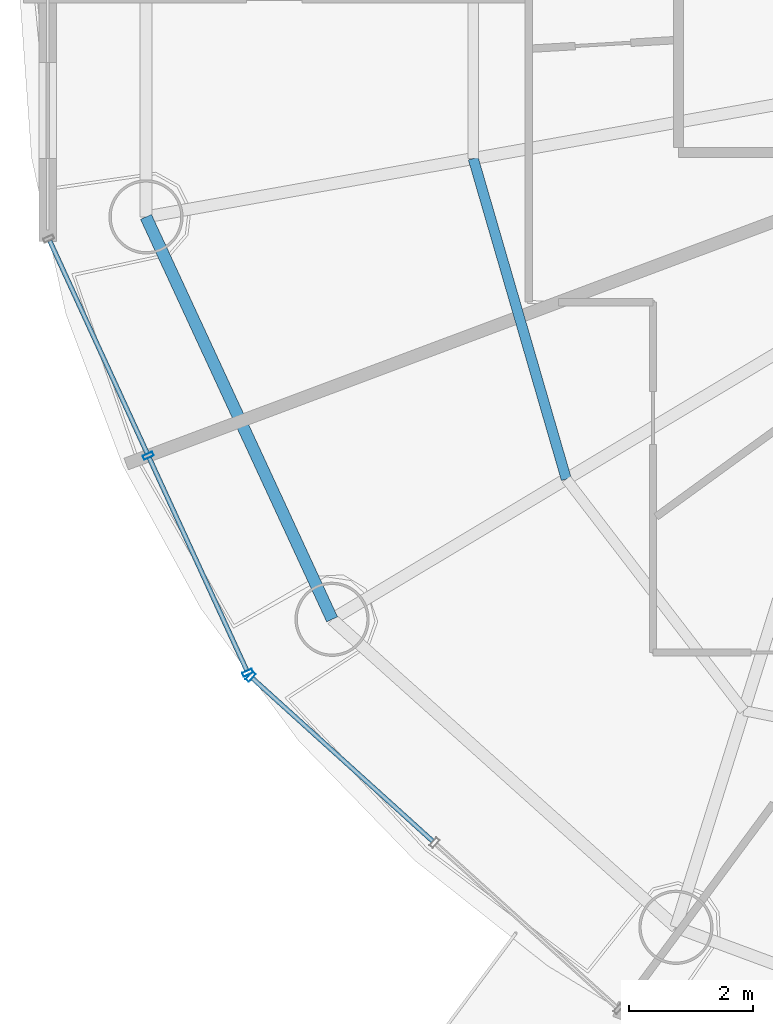
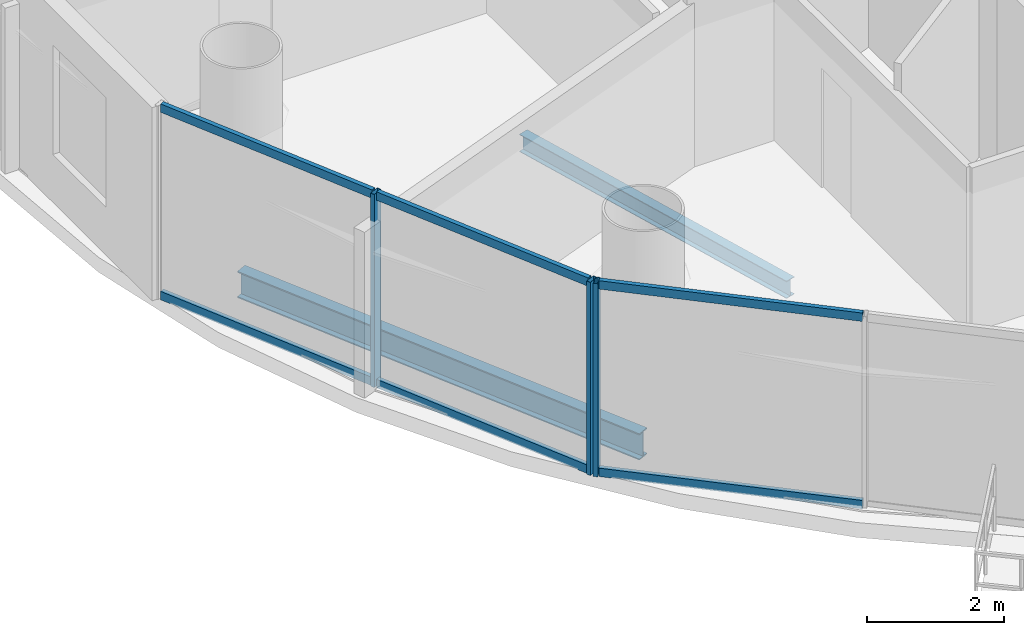
# One storey, part 3 of 26: 9 members, 2 beams, 2 elements without a shape of their own.
"""IFC4 building model written with IfcOpenShell, lengths in metres."""

from ifc_helpers import new_model, si_unit, direction, frame, origin, origin_2d, place, context, subcontext, project, spatial, hollow_rectangle, i_section, extrude, source, transform, mapped, material, material_profile, profile_set, type_object, element, aggregate, save


model = new_model("IFC4")

# Units and contexts
model_context = context("Model", 3, precision=1e-05, world=origin(), true_north=direction((-0.2419218956, 0.970295726276)))
body_context = subcontext(model_context, "Body", "Model", "MODEL_VIEW")
ifc_project = project(units=[si_unit("LENGTHUNIT", "METRE"), si_unit("AREAUNIT", "SQUARE_METRE"), si_unit("VOLUMEUNIT", "CUBIC_METRE"), si_unit("PLANEANGLEUNIT", "RADIAN"), si_unit("MASSUNIT", "GRAM", prefix="KILO")], contexts=[model_context])

# Site, building, storey
site_placement = place(None, origin())
site = spatial("IfcSite", under=ifc_project, at=site_placement, CompositionType="ELEMENT")
building_placement = place(site_placement, origin())
building = spatial("IfcBuilding", under=site, at=building_placement, Name="Cobrevalo Terracotta Tower", CompositionType="ELEMENT")
storey_placement = place(building_placement, frame((0.0, 0.0, 209.699951171875)))
storey = spatial("IfcBuildingStorey", under=building, at=storey_placement, Name="L55", CompositionType="ELEMENT", Elevation=209.699951171875)

# Beams
ifc_material_1 = material(Name="Steel S355", Category="steel")
ifc_material_profile_1 = material_profile(ifc_material_1, i_section(OverallWidth=0.1650390625, OverallDepth=0.31005859375, WebThickness=0.005859375, FlangeThickness=0.009765625, at=origin_2d()), Name="W 310x38.7")
ifc_profile_set_1 = profile_set([ifc_material_profile_1], Name="Steel S355")
beam_type_1 = type_object("IfcBeamType", Name="Structural Joist W 310x38.7 (Steel S355)", PredefinedType="JOIST", material=ifc_profile_set_1)
beam_1_placement = place(storey_placement, frame((23.528564453125, 24.221435546875, -0.419921875), z_axis=(0.278757705995, -0.960361463902, 0.0), x_axis=(0.960361463902, 0.278757705995, 0.0)))
element("IfcBeam", 1, at=beam_1_placement, inside=storey, type_object=beam_type_1, Name="L55 circumferential secondary floor joist 09", PredefinedType="JOIST", context=body_context, shape_type="SweptSolid", body=[
    extrude(i_section(OverallWidth=0.1650390625, OverallDepth=0.31005859375, WebThickness=0.005859375, FlangeThickness=0.009765625, at=origin_2d()), origin(), (0.0, 0.0, 1.0), 5.396728515625),
])
ifc_material_profile_2 = material_profile(ifc_material_1, i_section(OverallWidth=0.194091796875, OverallDepth=0.468994140625, WebThickness=0.011474609375, FlangeThickness=0.0205078125, at=origin_2d()), Name="W 460x106")
ifc_profile_set_2 = profile_set([ifc_material_profile_2], Name="Steel S355")
beam_type_2 = type_object("IfcBeamType", Name="Structural Spandrel W 460x106 (Steel S355)", PredefinedType="SPANDREL", material=ifc_profile_set_2)
beam_2_placement = place(storey_placement, frame((18.237060546875, 23.278564453125, -0.49951171875), z_axis=(0.419718939129, -0.90765412583, 0.0), x_axis=(0.90765412583, 0.419718939129, 0.0)))
element("IfcBeam", 2, at=beam_2_placement, inside=storey, type_object=beam_type_2, Name="L55 perimeter ring spandrel 09", PredefinedType="SPANDREL", context=body_context, shape_type="SweptSolid", body=[
    extrude(i_section(OverallWidth=0.194091796875, OverallDepth=0.468994140625, WebThickness=0.011474609375, FlangeThickness=0.0205078125, at=origin_2d()), origin(), (0.0, 0.0, 1.0), 7.168701171875),
])

# Curtain wall, members
ifc_material_2 = material(Name="Anodized aluminium", Category="aluminium")
curtain_wall_type = type_object("IfcCurtainWallType", Name="Mid-tower high-wind unitised curtain wall CW-U2", PredefinedType="NOTDEFINED", material=ifc_material_2)
curtain_wall_1_placement = place(storey_placement, origin())
curtain_wall_1 = element("IfcCurtainWall", 3, at=curtain_wall_1_placement, inside=storey, type_object=curtain_wall_type, Name="L55 curtain wall CW-L55-S09", PredefinedType="NOTDEFINED")
ifc_material_profile_3 = material_profile(ifc_material_2, hollow_rectangle(XDim=0.074951171875, YDim=0.14990234375, WallThickness=0.00439453125, at=origin_2d()), Name="CWT 75x150")
ifc_profile_set_3 = profile_set([ifc_material_profile_3], Name="Anodized aluminium")
member_type_1 = type_object("IfcMemberType", Name="Tower unitised aluminium transom 75x150", PredefinedType="USERDEFINED", material=ifc_profile_set_3)
shared_shape_1 = source(origin(), body_context, "Body", "SweptSolid", [
    extrude(hollow_rectangle(XDim=0.074951171875, YDim=0.14990234375, WallThickness=0.00439453125, at=origin_2d()), origin(), (0.0, 0.0, 1.0), 3.780029296875),
])
member_1_placement = place(storey_placement, frame((16.681640625, 22.889892578125, 0.050048828125), z_axis=(0.416705859352, -0.909041377926, 0.0), x_axis=(0.909041377926, 0.416705859352, 0.0)))
member_1 = element("IfcMember", 4, at=member_1_placement, type_object=member_type_1, Name="CW-L55-S09 transom B01-T1", ObjectType="TRANSOM", PredefinedType="USERDEFINED", context=body_context, shape_type="MappedRepresentation", body=[
    mapped(shared_shape_1, transform((0.0, 0.0, 0.0), scale=1.0)),
])
member_2_placement = place(storey_placement, frame((16.681640625, 22.889892578125, 3.385009765625), z_axis=(0.416705859352, -0.909041377926, 0.0), x_axis=(0.909041377926, 0.416705859352, 0.0)))
member_2 = element("IfcMember", 5, at=member_2_placement, type_object=member_type_1, Name="CW-L55-S09 transom B01-T2", ObjectType="TRANSOM", PredefinedType="USERDEFINED", context=body_context, shape_type="MappedRepresentation", body=[
    mapped(shared_shape_1, transform((0.0, 0.0, 0.0), scale=1.0)),
])
member_3_placement = place(storey_placement, frame((18.290283203125, 19.380859375, 0.050048828125), z_axis=(0.416705859352, -0.909041377926, 0.0), x_axis=(0.909041377926, 0.416705859352, 0.0)))
member_3 = element("IfcMember", 6, at=member_3_placement, type_object=member_type_1, Name="CW-L55-S09 transom B02-T1", ObjectType="TRANSOM", PredefinedType="USERDEFINED", context=body_context, shape_type="MappedRepresentation", body=[
    mapped(shared_shape_1, transform((0.0, 0.0, 0.0), scale=1.0)),
])
member_4_placement = place(storey_placement, frame((18.290283203125, 19.380859375, 3.385009765625), z_axis=(0.416705859352, -0.909041377926, 0.0), x_axis=(0.909041377926, 0.416705859352, 0.0)))
member_4 = element("IfcMember", 7, at=member_4_placement, type_object=member_type_1, Name="CW-L55-S09 transom B02-T2", ObjectType="TRANSOM", PredefinedType="USERDEFINED", context=body_context, shape_type="MappedRepresentation", body=[
    mapped(shared_shape_1, transform((0.0, 0.0, 0.0), scale=1.0)),
])

curtain_wall_2_placement = place(storey_placement, origin())
curtain_wall_2 = element("IfcCurtainWall", 8, at=curtain_wall_2_placement, inside=storey, type_object=curtain_wall_type, Name="L55 curtain wall CW-L55-S10", PredefinedType="NOTDEFINED")
shared_shape_2 = source(origin(), body_context, "Body", "SweptSolid", [
    extrude(hollow_rectangle(XDim=0.074951171875, YDim=0.14990234375, WallThickness=0.00439453125, at=origin_2d()), origin(), (0.0, 0.0, 1.0), 3.927490234375),
])
member_5_placement = place(storey_placement, frame((19.958251953125, 15.818359375, 0.050048828125), z_axis=(0.741975952623, -0.670426495396, 0.0), x_axis=(0.670426495396, 0.741975952623, 0.0)))
member_5 = element("IfcMember", 9, at=member_5_placement, type_object=member_type_1, Name="CW-L55-S10 transom B01-T1", ObjectType="TRANSOM", PredefinedType="USERDEFINED", context=body_context, shape_type="MappedRepresentation", body=[
    mapped(shared_shape_2, transform((0.0, 0.0, 0.0), scale=1.0)),
])
member_6_placement = place(storey_placement, frame((19.958251953125, 15.818359375, 3.385009765625), z_axis=(0.741975952623, -0.670426495396, 0.0), x_axis=(0.670426495396, 0.741975952623, 0.0)))
member_6 = element("IfcMember", 10, at=member_6_placement, type_object=member_type_1, Name="CW-L55-S10 transom B01-T2", ObjectType="TRANSOM", PredefinedType="USERDEFINED", context=body_context, shape_type="MappedRepresentation", body=[
    mapped(shared_shape_2, transform((0.0, 0.0, 0.0), scale=1.0)),
])

# Member
ifc_material_profile_4 = material_profile(ifc_material_2, hollow_rectangle(XDim=0.070068359375, YDim=0.169921875, WallThickness=0.00439453125, at=origin_2d()), Name="CWM 70x170")
ifc_profile_set_4 = profile_set([ifc_material_profile_4], Name="Anodized aluminium")
member_type_2 = type_object("IfcMemberType", Name="Upper tower unitised mullion 70x170", PredefinedType="MULLION", material=ifc_profile_set_4)
shared_shape_3 = source(origin(), body_context, "Body", "SweptSolid", [
    extrude(hollow_rectangle(XDim=0.070068359375, YDim=0.169921875, WallThickness=0.00439453125, at=origin_2d()), origin(), (0.0, 0.0, 1.0), 3.43505859375),
])
member_7_placement = place(storey_placement, frame((18.273681640625, 19.417236328125, 0.0), z_axis=(0.0, 0.0, 1.0), x_axis=(0.41672507912, -0.909032567311, 0.0)))
member_7 = element("IfcMember", 11, at=member_7_placement, type_object=member_type_2, Name="CW-L55-S09 vertical mullion 02", PredefinedType="MULLION", context=body_context, shape_type="MappedRepresentation", body=[
    mapped(shared_shape_3, transform((0.0, 0.0, 0.0), scale=1.0)),
])

member_8_placement = place(storey_placement, frame((19.88232421875, 15.908203125, 0.0), z_axis=(0.0, 0.0, 1.0), x_axis=(0.41672507912, -0.909032567311, 0.0)))
member_8 = element("IfcMember", 12, at=member_8_placement, type_object=member_type_2, Name="CW-L55-S09 vertical mullion 03", PredefinedType="MULLION", context=body_context, shape_type="MappedRepresentation", body=[
    mapped(shared_shape_3, transform((0.0, 0.0, 0.0), scale=1.0)),
])

aggregate(curtain_wall_1, [member_7, member_8, member_1, member_2, member_3, member_4])

member_9_placement = place(storey_placement, frame((19.928466796875, 15.84521484375, 0.0), z_axis=(0.0, 0.0, 1.0), x_axis=(0.741987542015, -0.670413668935, 0.0)))
member_9 = element("IfcMember", 13, at=member_9_placement, type_object=member_type_2, Name="CW-L55-S10 vertical mullion 01", PredefinedType="MULLION", context=body_context, shape_type="MappedRepresentation", body=[
    mapped(shared_shape_3, transform((0.0, 0.0, 0.0), scale=1.0)),
])

aggregate(curtain_wall_2, [member_9, member_5, member_6])

save(model, "model.ifc")
